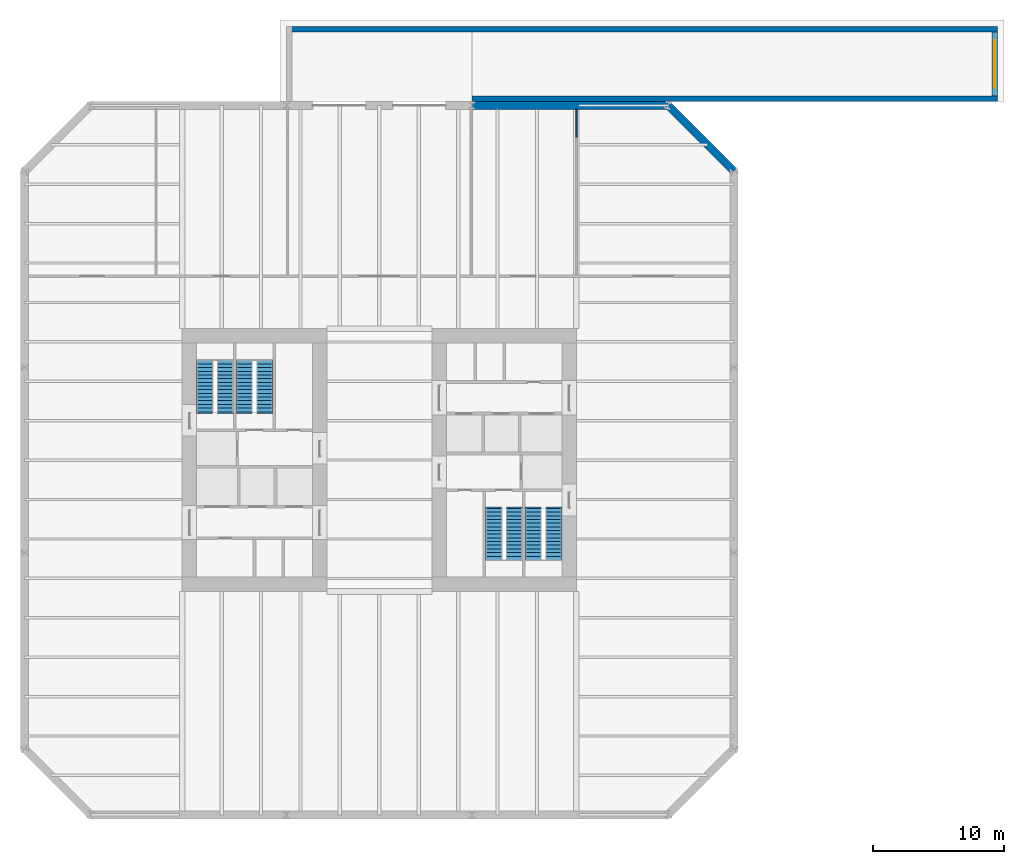
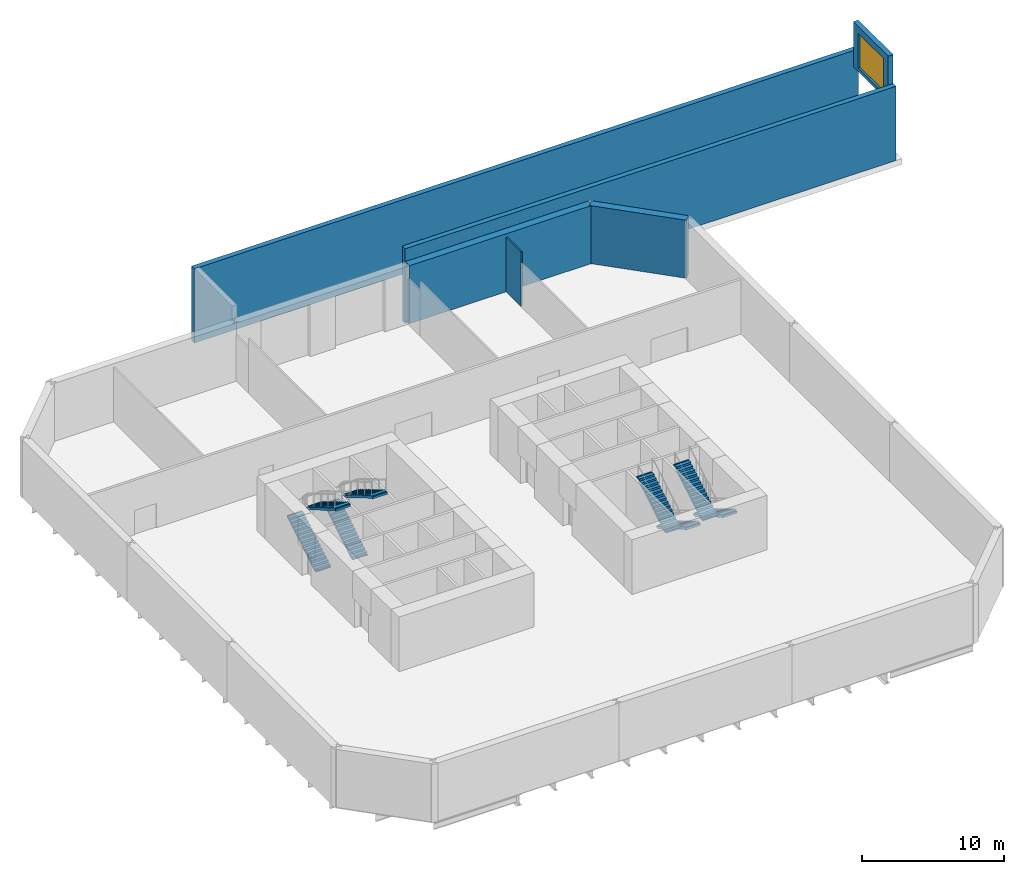
# One storey, part 4 of 6: 8 stair flights, 6 walls, 1 door, 1 opening, 4 elements without a shape of their own.
"""IFC4 building model written with IfcOpenShell, lengths in metres."""

from ifc_helpers import new_model, si_unit, direction, frame, frame_2d, origin, place, context, subcontext, project, spatial, polyline, rectangle, outline, extrude, material, layer, layer_set, type_object, element, fill, aggregate, save


model = new_model("IFC4")

# Units and contexts
model_context = context("Model", 3, precision=1e-05, world=origin(), true_north=direction((0.0, 1.0)))
body_context = subcontext(model_context, "Body", "Model", "MODEL_VIEW")
ifc_project = project(units=[si_unit("LENGTHUNIT", "METRE"), si_unit("AREAUNIT", "SQUARE_METRE"), si_unit("VOLUMEUNIT", "CUBIC_METRE"), si_unit("PLANEANGLEUNIT", "RADIAN"), si_unit("MASSUNIT", "GRAM", prefix="KILO")], contexts=[model_context])

# Site, building, storey
site_placement = place(None, origin())
site = spatial("IfcSite", under=ifc_project, at=site_placement, CompositionType="ELEMENT")
building_placement = place(site_placement, origin())
building = spatial("IfcBuilding", under=site, at=building_placement, Name="Millrace Tower", CompositionType="ELEMENT")
storey_placement = place(building_placement, frame((0.0, 0.0, -5.0)))
storey = spatial("IfcBuildingStorey", under=building, at=storey_placement, Name="B1", CompositionType="ELEMENT", Elevation=-5.0)

# Walls
ifc_material_1 = material(Name="Concrete C40", Category="concrete")
ifc_layer_1 = layer(ifc_material_1, 0.60009765625)
ifc_layer_set_1 = layer_set([ifc_layer_1], Name="Concrete C40")
wall_type_1 = type_object("IfcWallType", Name="Basement retaining wall 600 mm", PredefinedType="SOLIDWALL", material=ifc_layer_set_1)
wall_1_placement = place(storey_placement, frame((27.0, 21.978515625, 0.0), z_axis=(0.0, 0.0, 1.0), x_axis=(-0.707106781187, 0.707106781187, 0.0)))
element("IfcWall", 1, at=wall_1_placement, inside=storey, type_object=wall_type_1, Name="BW-A-B1-09", PredefinedType="SOLIDWALL", context=body_context, shape_type="SweptSolid", body=[
    extrude(rectangle(XDim=7.1015625, YDim=0.60009765625, at=frame_2d((3.55078125, 0.0))), origin(), (0.0, 0.0, 1.0), 5.0),
])
wall_2_placement = place(storey_placement, frame((21.978515625, 27.0, 0.0), z_axis=(0.0, 0.0, 1.0), x_axis=(-1.0, 0.0, 0.0)))
element("IfcWall", 2, at=wall_2_placement, inside=storey, type_object=wall_type_1, Name="BW-A-B1-10", PredefinedType="SOLIDWALL", context=body_context, shape_type="SweptSolid", body=[
    extrude(rectangle(XDim=14.928466796875, YDim=0.60009765625, at=frame_2d((7.46435546875, 0.0))), origin(), (0.0, 0.0, 1.0), 5.0),
])
ifc_material_2 = material(Name="Concrete C45", Category="concrete")
ifc_layer_2 = layer(ifc_material_2, 0.39990234375)
ifc_layer_set_2 = layer_set([ifc_layer_2], Name="Concrete C45")
wall_type_2 = type_object("IfcWallType", Name="Court retaining wall 400 mm", PredefinedType="SOLIDWALL", material=ifc_layer_set_2)
wall_3_placement = place(storey_placement, frame((-7.050048828125, 32.800048828125, -0.300048828125), z_axis=(0.0, 0.0, 1.0), x_axis=(1.0, 0.0, 0.0)))
element("IfcWall", 3, at=wall_3_placement, inside=storey, type_object=wall_type_2, Name="Court retaining wall N", PredefinedType="SOLIDWALL", context=body_context, shape_type="SweptSolid", body=[
    extrude(rectangle(XDim=54.10009765625, YDim=0.39990234375, at=frame_2d((27.050048828125, 0.0))), origin(), (0.0, 0.0, 1.0), 6.400146484375),
])
wall_4_placement = place(storey_placement, frame((7.050048828125, 27.5, -0.300048828125), z_axis=(0.0, 0.0, 1.0), x_axis=(1.0, 0.0, 0.0)))
element("IfcWall", 4, at=wall_4_placement, inside=storey, type_object=wall_type_2, Name="Court retaining wall S2", PredefinedType="SOLIDWALL", context=body_context, shape_type="SweptSolid", body=[
    extrude(rectangle(XDim=40.0, YDim=0.39990234375, at=frame_2d((20.0, 0.0))), origin(), (0.0, 0.0, 1.0), 6.400146484375),
])

# Wall, opening, door
wall_5_placement = place(storey_placement, frame((46.85009765625, 27.699951171875, 4.699951171875), z_axis=(0.0, 0.0, 1.0), x_axis=(0.0, 1.0, 0.0)))
wall_5 = element("IfcWall", 5, at=wall_5_placement, inside=storey, type_object=wall_type_2, Name="Vehicle gate portal wall", PredefinedType="SOLIDWALL", context=body_context, shape_type="SweptSolid", body=[
    extrude(rectangle(XDim=4.900146484375, YDim=0.39990234375, at=frame_2d((2.4501953125, 0.0))), origin(), (0.0, 0.0, 1.0), 3.900146484375),
])
opening_placement = place(wall_5_placement, frame((0.64990234375, 0.0, 0.300048828125)))
opening = element("IfcOpeningElement", 6, at=opening_placement, cuts=wall_5, Name="Opening B1-X003", PredefinedType="OPENING", context=body_context, shape_type="SweptSolid", body=[
    extrude(rectangle(XDim=3.60009765625, YDim=3.0, at=frame_2d((1.800048828125, 1.5))), frame((0.0, 0.2099609375, 0.0), z_axis=(0.0, -1.0, 0.0), x_axis=(1.0, 0.0, 0.0)), (0.0, 0.0, 1.0), 0.419921875),
])
ifc_material_3 = material(Name="Steel ASTM A36", Category="steel")
door_type = type_object("IfcDoorType", Name="Vehicle gate 3600 x 3000", OperationType="ROLLINGUP", PredefinedType="GATE", material=ifc_material_3)
door_placement = place(opening_placement, frame((3.60009765625, 0.0, 0.0), z_axis=(0.0, 0.0, 1.0), x_axis=(-1.0, 0.0, 0.0)))
door = element("IfcDoor", 7, at=door_placement, inside=storey, type_object=door_type, Name="B1-X003", OperationType="ROLLINGUP", OverallHeight=3.0, OverallWidth=3.60009765625, PredefinedType="GATE", context=body_context, shape_type="SweptSolid", body=[
    extrude(rectangle(XDim=3.60009765625, YDim=3.0, at=frame_2d((1.800048828125, 1.5))), frame((0.0, 0.02490234375, 0.0), z_axis=(0.0, -1.0, 0.0), x_axis=(1.0, 0.0, 0.0)), (0.0, 0.0, 1.0), 0.050048828125),
])
fill(opening, door)

# Wall
ifc_material_4 = material(Name="Gypsum board partition")
ifc_layer_3 = layer(ifc_material_4, 0.1201171875)
ifc_layer_set_3 = layer_set([ifc_layer_3], Name="Gypsum board partition")
wall_type_3 = type_object("IfcWallType", Name="Partition wall 120", PredefinedType="PARTITIONING", material=ifc_layer_set_3)
wall_6_placement = place(storey_placement, frame((15.0, 24.578369140625, 0.0), z_axis=(0.0, 0.0, 1.0), x_axis=(0.0, 1.0, 0.0)))
element("IfcWall", 8, at=wall_6_placement, inside=storey, type_object=wall_type_3, Name="Partition wall B1", PredefinedType="PARTITIONING", context=body_context, shape_type="SweptSolid", body=[
    extrude(rectangle(XDim=2.171630859375, YDim=0.1201171875, at=frame_2d((1.0859375, 0.0))), origin(), (0.0, 0.0, 1.0), 4.699951171875),
])

# Stair, stair flights
ifc_material_5 = material(Name="Concrete C35", Category="concrete")
stair_type = type_object("IfcStairType", Name="Exit stair", PredefinedType="HALF_TURN_STAIR", material=ifc_material_5)
placement = place(storey_placement, origin())
stair_1 = element("IfcStair", 9, at=placement, inside=storey, type_object=stair_type, Name="Stair 1 W B1", PredefinedType="HALF_TURN_STAIR")
ifc_material_6 = material(Name="Concrete C35", Category="concrete")
stair_flight_type = type_object("IfcStairFlightType", Name="Exit stair flight", PredefinedType="STRAIGHT", material=ifc_material_6)
stair_flight_1_placement = place(storey_placement, frame((-13.2900390625, 3.679931640625, 0.0), z_axis=(0.0, 0.0, 1.0), x_axis=(0.0, 1.0, 0.0)))
stair_flight_1 = element("IfcStairFlight", 10, at=stair_flight_1_placement, type_object=stair_flight_type, Name="ST12 flight 1", NumberOfRisers=15, NumberOfTreads=14, PredefinedType="STRAIGHT", RiserHeight=0.166666667, TreadLength=0.28, context=body_context, shape_type="SweptSolid", body=[
    extrude(outline(polyline([(-0.1201171875, -0.0400390625), (-0.1201171875, 0.0), (0.0, 0.0), (0.0, 0.166748046875), (0.280029296875, 0.166748046875), (0.280029296875, 0.333251953125), (0.56005859375, 0.333251953125), (0.56005859375, 0.5), (0.840087890625, 0.5), (0.840087890625, 0.666748046875), (1.1201171875, 0.666748046875), (1.1201171875, 0.833251953125), (1.39990234375, 0.833251953125), (1.39990234375, 1.0), (1.679931640625, 1.0), (1.679931640625, 1.166748046875), (1.9599609375, 1.166748046875), (1.9599609375, 1.333251953125), (2.239990234375, 1.333251953125), (2.239990234375, 1.5), (2.52001953125, 1.5), (2.52001953125, 1.666748046875), (2.800048828125, 1.666748046875), (2.800048828125, 1.833251953125), (3.080078125, 1.833251953125), (3.080078125, 2.0), (3.360107421875, 2.0), (3.360107421875, 2.166748046875), (3.639892578125, 2.166748046875), (3.639892578125, 2.333251953125), (3.919921875, 2.333251953125), (3.919921875, 2.353271484375), (4.0400390625, 2.353271484375), (4.0400390625, 2.158935546875), (3.919921875, 2.158935546875), (0.29296875, 0.0), (0.29296875, -0.0400390625), (-0.1201171875, -0.0400390625)])), frame((0.0, 0.60986328125, 0.0), z_axis=(0.0, -1.0, 0.0), x_axis=(1.0, 0.0, 0.0)), (0.0, 0.0, 1.0), 1.219970703125),
])
stair_flight_2_placement = place(storey_placement, frame((-11.7099609375, 7.60009765625, 2.5), z_axis=(0.0, 0.0, 1.0), x_axis=(0.0, -1.0, 0.0)))
stair_flight_2 = element("IfcStairFlight", 11, at=stair_flight_2_placement, type_object=stair_flight_type, Name="ST12 flight 2", NumberOfRisers=15, NumberOfTreads=14, PredefinedType="STRAIGHT", RiserHeight=0.166666667, TreadLength=0.28, context=body_context, shape_type="SweptSolid", body=[
    extrude(outline(polyline([(-0.1201171875, -0.0400390625), (-0.1201171875, 0.0), (0.0, 0.0), (0.0, 0.166748046875), (0.280029296875, 0.166748046875), (0.280029296875, 0.333251953125), (0.56005859375, 0.333251953125), (0.56005859375, 0.5), (0.840087890625, 0.5), (0.840087890625, 0.666748046875), (1.1201171875, 0.666748046875), (1.1201171875, 0.833251953125), (1.39990234375, 0.833251953125), (1.39990234375, 1.0), (1.679931640625, 1.0), (1.679931640625, 1.166748046875), (1.9599609375, 1.166748046875), (1.9599609375, 1.333251953125), (2.239990234375, 1.333251953125), (2.239990234375, 1.5), (2.52001953125, 1.5), (2.52001953125, 1.666748046875), (2.800048828125, 1.666748046875), (2.800048828125, 1.833251953125), (3.080078125, 1.833251953125), (3.080078125, 2.0), (3.360107421875, 2.0), (3.360107421875, 2.166748046875), (3.639892578125, 2.166748046875), (3.639892578125, 2.333251953125), (3.919921875, 2.333251953125), (3.919921875, 2.353271484375), (4.0400390625, 2.353271484375), (4.0400390625, 2.158935546875), (3.919921875, 2.158935546875), (0.29296875, 0.0), (0.29296875, -0.0400390625), (-0.1201171875, -0.0400390625)])), frame((0.0, 0.60986328125, 0.0), z_axis=(0.0, -1.0, 0.0), x_axis=(1.0, 0.0, 0.0)), (0.0, 0.0, 1.0), 1.219970703125),
])
aggregate(stair_1, [stair_flight_1, stair_flight_2])

stair_2 = element("IfcStair", 12, at=placement, inside=storey, type_object=stair_type, Name="Stair 2 W B1", PredefinedType="HALF_TURN_STAIR")
stair_flight_3_placement = place(storey_placement, frame((-10.2900390625, 3.679931640625, 0.0), z_axis=(0.0, 0.0, 1.0), x_axis=(0.0, 1.0, 0.0)))
stair_flight_3 = element("IfcStairFlight", 13, at=stair_flight_3_placement, type_object=stair_flight_type, Name="ST12 flight 1", NumberOfRisers=15, NumberOfTreads=14, PredefinedType="STRAIGHT", RiserHeight=0.166666667, TreadLength=0.28, context=body_context, shape_type="SweptSolid", body=[
    extrude(outline(polyline([(-0.1201171875, -0.0400390625), (-0.1201171875, 0.0), (0.0, 0.0), (0.0, 0.166748046875), (0.280029296875, 0.166748046875), (0.280029296875, 0.333251953125), (0.56005859375, 0.333251953125), (0.56005859375, 0.5), (0.840087890625, 0.5), (0.840087890625, 0.666748046875), (1.1201171875, 0.666748046875), (1.1201171875, 0.833251953125), (1.39990234375, 0.833251953125), (1.39990234375, 1.0), (1.679931640625, 1.0), (1.679931640625, 1.166748046875), (1.9599609375, 1.166748046875), (1.9599609375, 1.333251953125), (2.239990234375, 1.333251953125), (2.239990234375, 1.5), (2.52001953125, 1.5), (2.52001953125, 1.666748046875), (2.800048828125, 1.666748046875), (2.800048828125, 1.833251953125), (3.080078125, 1.833251953125), (3.080078125, 2.0), (3.360107421875, 2.0), (3.360107421875, 2.166748046875), (3.639892578125, 2.166748046875), (3.639892578125, 2.333251953125), (3.919921875, 2.333251953125), (3.919921875, 2.353271484375), (4.0400390625, 2.353271484375), (4.0400390625, 2.158935546875), (3.919921875, 2.158935546875), (0.29296875, 0.0), (0.29296875, -0.0400390625), (-0.1201171875, -0.0400390625)])), frame((0.0, 0.60986328125, 0.0), z_axis=(0.0, -1.0, 0.0), x_axis=(1.0, 0.0, 0.0)), (0.0, 0.0, 1.0), 1.219970703125),
])
stair_flight_4_placement = place(storey_placement, frame((-8.7099609375, 7.60009765625, 2.5), z_axis=(0.0, 0.0, 1.0), x_axis=(0.0, -1.0, 0.0)))
stair_flight_4 = element("IfcStairFlight", 14, at=stair_flight_4_placement, type_object=stair_flight_type, Name="ST12 flight 2", NumberOfRisers=15, NumberOfTreads=14, PredefinedType="STRAIGHT", RiserHeight=0.166666667, TreadLength=0.28, context=body_context, shape_type="SweptSolid", body=[
    extrude(outline(polyline([(-0.1201171875, -0.0400390625), (-0.1201171875, 0.0), (0.0, 0.0), (0.0, 0.166748046875), (0.280029296875, 0.166748046875), (0.280029296875, 0.333251953125), (0.56005859375, 0.333251953125), (0.56005859375, 0.5), (0.840087890625, 0.5), (0.840087890625, 0.666748046875), (1.1201171875, 0.666748046875), (1.1201171875, 0.833251953125), (1.39990234375, 0.833251953125), (1.39990234375, 1.0), (1.679931640625, 1.0), (1.679931640625, 1.166748046875), (1.9599609375, 1.166748046875), (1.9599609375, 1.333251953125), (2.239990234375, 1.333251953125), (2.239990234375, 1.5), (2.52001953125, 1.5), (2.52001953125, 1.666748046875), (2.800048828125, 1.666748046875), (2.800048828125, 1.833251953125), (3.080078125, 1.833251953125), (3.080078125, 2.0), (3.360107421875, 2.0), (3.360107421875, 2.166748046875), (3.639892578125, 2.166748046875), (3.639892578125, 2.333251953125), (3.919921875, 2.333251953125), (3.919921875, 2.353271484375), (4.0400390625, 2.353271484375), (4.0400390625, 2.158935546875), (3.919921875, 2.158935546875), (0.29296875, 0.0), (0.29296875, -0.0400390625), (-0.1201171875, -0.0400390625)])), frame((0.0, 0.60986328125, 0.0), z_axis=(0.0, -1.0, 0.0), x_axis=(1.0, 0.0, 0.0)), (0.0, 0.0, 1.0), 1.219970703125),
])
aggregate(stair_2, [stair_flight_3, stair_flight_4])

stair_3 = element("IfcStair", 15, at=placement, inside=storey, type_object=stair_type, Name="Stair 1 E B1", PredefinedType="HALF_TURN_STAIR")
stair_flight_5_placement = place(storey_placement, frame((13.2900390625, -3.679931640625, 0.0), z_axis=(0.0, 0.0, 1.0), x_axis=(0.0, -1.0, 0.0)))
stair_flight_5 = element("IfcStairFlight", 16, at=stair_flight_5_placement, type_object=stair_flight_type, Name="ST12 flight 1", NumberOfRisers=15, NumberOfTreads=14, PredefinedType="STRAIGHT", RiserHeight=0.166666667, TreadLength=0.28, context=body_context, shape_type="SweptSolid", body=[
    extrude(outline(polyline([(-0.1201171875, -0.0400390625), (-0.1201171875, 0.0), (0.0, 0.0), (0.0, 0.166748046875), (0.280029296875, 0.166748046875), (0.280029296875, 0.333251953125), (0.56005859375, 0.333251953125), (0.56005859375, 0.5), (0.840087890625, 0.5), (0.840087890625, 0.666748046875), (1.1201171875, 0.666748046875), (1.1201171875, 0.833251953125), (1.39990234375, 0.833251953125), (1.39990234375, 1.0), (1.679931640625, 1.0), (1.679931640625, 1.166748046875), (1.9599609375, 1.166748046875), (1.9599609375, 1.333251953125), (2.239990234375, 1.333251953125), (2.239990234375, 1.5), (2.52001953125, 1.5), (2.52001953125, 1.666748046875), (2.800048828125, 1.666748046875), (2.800048828125, 1.833251953125), (3.080078125, 1.833251953125), (3.080078125, 2.0), (3.360107421875, 2.0), (3.360107421875, 2.166748046875), (3.639892578125, 2.166748046875), (3.639892578125, 2.333251953125), (3.919921875, 2.333251953125), (3.919921875, 2.353271484375), (4.0400390625, 2.353271484375), (4.0400390625, 2.158935546875), (3.919921875, 2.158935546875), (0.29296875, 0.0), (0.29296875, -0.0400390625), (-0.1201171875, -0.0400390625)])), frame((0.0, 0.60986328125, 0.0), z_axis=(0.0, -1.0, 0.0), x_axis=(1.0, 0.0, 0.0)), (0.0, 0.0, 1.0), 1.219970703125),
])
stair_flight_6_placement = place(storey_placement, frame((11.7099609375, -7.60009765625, 2.5), z_axis=(0.0, 0.0, 1.0), x_axis=(0.0, 1.0, 0.0)))
stair_flight_6 = element("IfcStairFlight", 17, at=stair_flight_6_placement, type_object=stair_flight_type, Name="ST12 flight 2", NumberOfRisers=15, NumberOfTreads=14, PredefinedType="STRAIGHT", RiserHeight=0.166666667, TreadLength=0.28, context=body_context, shape_type="SweptSolid", body=[
    extrude(outline(polyline([(-0.1201171875, -0.0400390625), (-0.1201171875, 0.0), (0.0, 0.0), (0.0, 0.166748046875), (0.280029296875, 0.166748046875), (0.280029296875, 0.333251953125), (0.56005859375, 0.333251953125), (0.56005859375, 0.5), (0.840087890625, 0.5), (0.840087890625, 0.666748046875), (1.1201171875, 0.666748046875), (1.1201171875, 0.833251953125), (1.39990234375, 0.833251953125), (1.39990234375, 1.0), (1.679931640625, 1.0), (1.679931640625, 1.166748046875), (1.9599609375, 1.166748046875), (1.9599609375, 1.333251953125), (2.239990234375, 1.333251953125), (2.239990234375, 1.5), (2.52001953125, 1.5), (2.52001953125, 1.666748046875), (2.800048828125, 1.666748046875), (2.800048828125, 1.833251953125), (3.080078125, 1.833251953125), (3.080078125, 2.0), (3.360107421875, 2.0), (3.360107421875, 2.166748046875), (3.639892578125, 2.166748046875), (3.639892578125, 2.333251953125), (3.919921875, 2.333251953125), (3.919921875, 2.353271484375), (4.0400390625, 2.353271484375), (4.0400390625, 2.158935546875), (3.919921875, 2.158935546875), (0.29296875, 0.0), (0.29296875, -0.0400390625), (-0.1201171875, -0.0400390625)])), frame((0.0, 0.60986328125, 0.0), z_axis=(0.0, -1.0, 0.0), x_axis=(1.0, 0.0, 0.0)), (0.0, 0.0, 1.0), 1.219970703125),
])
aggregate(stair_3, [stair_flight_5, stair_flight_6])

stair_4 = element("IfcStair", 18, at=placement, inside=storey, type_object=stair_type, Name="Stair 2 E B1", PredefinedType="HALF_TURN_STAIR")
stair_flight_7_placement = place(storey_placement, frame((10.2900390625, -3.679931640625, 0.0), z_axis=(0.0, 0.0, 1.0), x_axis=(0.0, -1.0, 0.0)))
stair_flight_7 = element("IfcStairFlight", 19, at=stair_flight_7_placement, type_object=stair_flight_type, Name="ST12 flight 1", NumberOfRisers=15, NumberOfTreads=14, PredefinedType="STRAIGHT", RiserHeight=0.166666667, TreadLength=0.28, context=body_context, shape_type="SweptSolid", body=[
    extrude(outline(polyline([(-0.1201171875, -0.0400390625), (-0.1201171875, 0.0), (0.0, 0.0), (0.0, 0.166748046875), (0.280029296875, 0.166748046875), (0.280029296875, 0.333251953125), (0.56005859375, 0.333251953125), (0.56005859375, 0.5), (0.840087890625, 0.5), (0.840087890625, 0.666748046875), (1.1201171875, 0.666748046875), (1.1201171875, 0.833251953125), (1.39990234375, 0.833251953125), (1.39990234375, 1.0), (1.679931640625, 1.0), (1.679931640625, 1.166748046875), (1.9599609375, 1.166748046875), (1.9599609375, 1.333251953125), (2.239990234375, 1.333251953125), (2.239990234375, 1.5), (2.52001953125, 1.5), (2.52001953125, 1.666748046875), (2.800048828125, 1.666748046875), (2.800048828125, 1.833251953125), (3.080078125, 1.833251953125), (3.080078125, 2.0), (3.360107421875, 2.0), (3.360107421875, 2.166748046875), (3.639892578125, 2.166748046875), (3.639892578125, 2.333251953125), (3.919921875, 2.333251953125), (3.919921875, 2.353271484375), (4.0400390625, 2.353271484375), (4.0400390625, 2.158935546875), (3.919921875, 2.158935546875), (0.29296875, 0.0), (0.29296875, -0.0400390625), (-0.1201171875, -0.0400390625)])), frame((0.0, 0.60986328125, 0.0), z_axis=(0.0, -1.0, 0.0), x_axis=(1.0, 0.0, 0.0)), (0.0, 0.0, 1.0), 1.219970703125),
])
stair_flight_8_placement = place(storey_placement, frame((8.7099609375, -7.60009765625, 2.5), z_axis=(0.0, 0.0, 1.0), x_axis=(0.0, 1.0, 0.0)))
stair_flight_8 = element("IfcStairFlight", 20, at=stair_flight_8_placement, type_object=stair_flight_type, Name="ST12 flight 2", NumberOfRisers=15, NumberOfTreads=14, PredefinedType="STRAIGHT", RiserHeight=0.166666667, TreadLength=0.28, context=body_context, shape_type="SweptSolid", body=[
    extrude(outline(polyline([(-0.1201171875, -0.0400390625), (-0.1201171875, 0.0), (0.0, 0.0), (0.0, 0.166748046875), (0.280029296875, 0.166748046875), (0.280029296875, 0.333251953125), (0.56005859375, 0.333251953125), (0.56005859375, 0.5), (0.840087890625, 0.5), (0.840087890625, 0.666748046875), (1.1201171875, 0.666748046875), (1.1201171875, 0.833251953125), (1.39990234375, 0.833251953125), (1.39990234375, 1.0), (1.679931640625, 1.0), (1.679931640625, 1.166748046875), (1.9599609375, 1.166748046875), (1.9599609375, 1.333251953125), (2.239990234375, 1.333251953125), (2.239990234375, 1.5), (2.52001953125, 1.5), (2.52001953125, 1.666748046875), (2.800048828125, 1.666748046875), (2.800048828125, 1.833251953125), (3.080078125, 1.833251953125), (3.080078125, 2.0), (3.360107421875, 2.0), (3.360107421875, 2.166748046875), (3.639892578125, 2.166748046875), (3.639892578125, 2.333251953125), (3.919921875, 2.333251953125), (3.919921875, 2.353271484375), (4.0400390625, 2.353271484375), (4.0400390625, 2.158935546875), (3.919921875, 2.158935546875), (0.29296875, 0.0), (0.29296875, -0.0400390625), (-0.1201171875, -0.0400390625)])), frame((0.0, 0.60986328125, 0.0), z_axis=(0.0, -1.0, 0.0), x_axis=(1.0, 0.0, 0.0)), (0.0, 0.0, 1.0), 1.219970703125),
])
aggregate(stair_4, [stair_flight_7, stair_flight_8])

save(model, "model.ifc")
